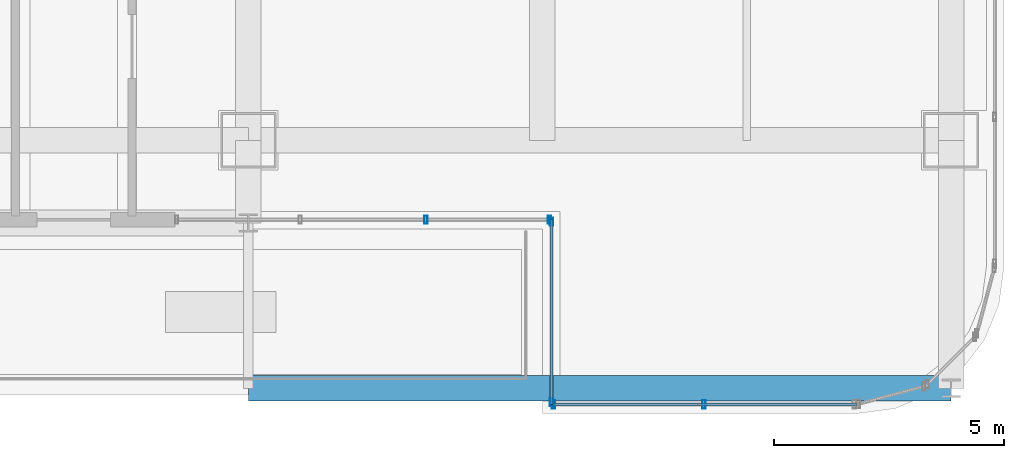
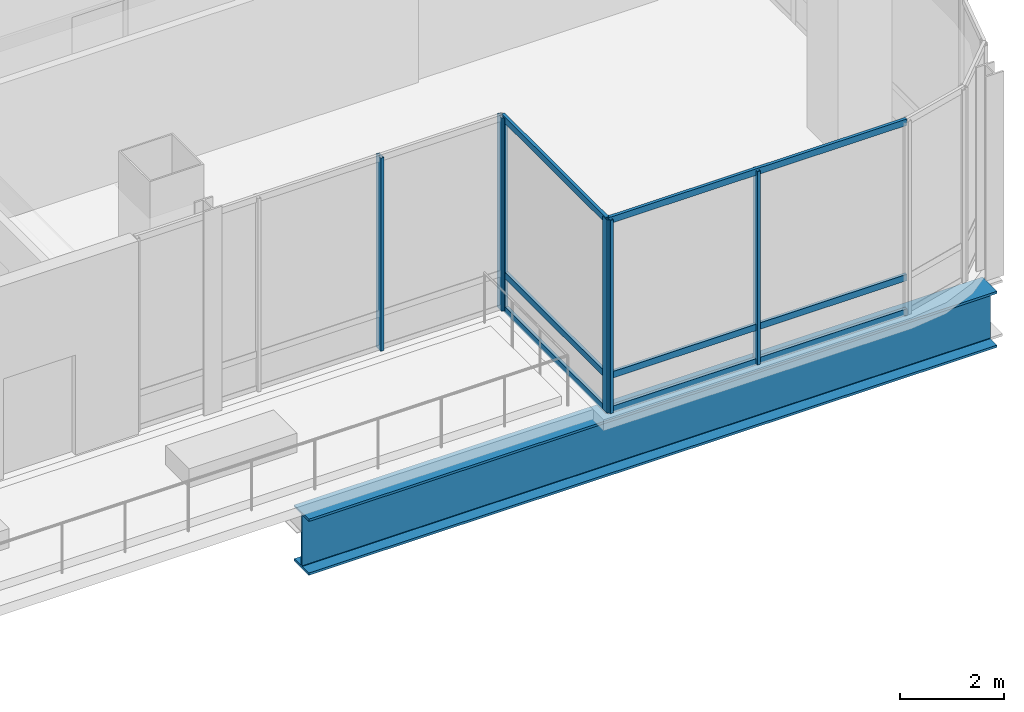
# One storey, part 16 of 44: 12 members, 1 beam, 3 elements without a shape of their own.
"""IFC4 building model written with IfcOpenShell, lengths in metres."""

from ifc_helpers import new_model, si_unit, direction, frame, origin, origin_2d, place, context, subcontext, project, spatial, hollow_rectangle, i_section, extrude, material, material_profile, profile_set, type_object, element, aggregate, save


model = new_model("IFC4")

# Units and contexts
model_context = context("Model", 3, precision=1e-05, world=origin(), true_north=direction((0.0, 1.0)))
body_context = subcontext(model_context, "Body", "Model", "MODEL_VIEW")
ifc_project = project(units=[si_unit("LENGTHUNIT", "METRE"), si_unit("AREAUNIT", "SQUARE_METRE"), si_unit("VOLUMEUNIT", "CUBIC_METRE"), si_unit("PLANEANGLEUNIT", "RADIAN"), si_unit("MASSUNIT", "GRAM", prefix="KILO")], contexts=[model_context])

# Site, building, storey
site_placement = place(None, origin())
site = spatial("IfcSite", under=ifc_project, at=site_placement, CompositionType="ELEMENT")
building_placement = place(site_placement, origin())
building = spatial("IfcBuilding", under=site, at=building_placement, Name="Punatoya Terracotta Tower", CompositionType="ELEMENT")
storey_placement = place(building_placement, frame((0.0, 0.0, 334.199951171875)))
storey = spatial("IfcBuildingStorey", under=building, at=storey_placement, Name="L79", CompositionType="ELEMENT", Elevation=334.199951171875)

# Beam
ifc_material_1 = material(Name="Steel S460", Category="steel")
ifc_material_profile_1 = material_profile(ifc_material_1, i_section(OverallWidth=0.56005859375, OverallDepth=1.320068359375, WebThickness=0.035888671875, FlangeThickness=0.054931640625, FilletRadius=0.01806640625, at=origin_2d()))
ifc_profile_set_1 = profile_set([ifc_material_profile_1], Name="Steel S460")
beam_type = type_object("IfcBeamType", Name="BM-TG-BLK", PredefinedType="BEAM", material=ifc_profile_set_1)
beam_placement = place(storey_placement, frame((3.800048828125, -22.89990234375, -0.919921875), z_axis=(1.0, 0.0, 0.0), x_axis=(0.0, 1.0, 0.0)))
element("IfcBeam", 1, at=beam_placement, inside=storey, type_object=beam_type, Name="BM-L79-PER-S3", PredefinedType="BEAM", context=body_context, shape_type="SweptSolid", body=[
    extrude(i_section(OverallWidth=0.56005859375, OverallDepth=1.320068359375, WebThickness=0.035888671875, FlangeThickness=0.054931640625, FilletRadius=0.01806640625, at=origin_2d()), origin(), (0.0, 0.0, 1.0), 15.300048828125),
])

# Curtain wall, members
ifc_material_2 = material(Name="Aluminium 6063-T6 + Double Low-E Glass", Category="aluminium")
curtain_wall_type = type_object("IfcCurtainWallType", Name="CW-OBS", PredefinedType="NOTDEFINED", material=ifc_material_2)
curtain_wall_1_placement = place(storey_placement, origin())
curtain_wall_1 = element("IfcCurtainWall", 2, at=curtain_wall_1_placement, inside=storey, type_object=curtain_wall_type, Name="L79 Curtain Wall CW-L79-S4B1", PredefinedType="NOTDEFINED")
ifc_material_3 = material(Name="Aluminium 6063-T6", Category="aluminium")
ifc_material_profile_2 = material_profile(ifc_material_3, hollow_rectangle(XDim=0.070068359375, YDim=0.179931640625, WallThickness=0.00390625, at=origin_2d()))
ifc_profile_set_2 = profile_set([ifc_material_profile_2], Name="Aluminium 6063-T6")
member_type_1 = type_object("IfcMemberType", Name="CW-MUL-M3", PredefinedType="MULLION", material=ifc_profile_set_2)
member_1_placement = place(storey_placement, frame((7.666748046875, -19.22998046875, 0.0), z_axis=(0.0, 0.0, 1.0), x_axis=(1.0, 0.0, 0.0)))
member_1 = element("IfcMember", 3, at=member_1_placement, type_object=member_type_1, Name="CW-L79-S4B1 Mullion 02", PredefinedType="MULLION", context=body_context, shape_type="SweptSolid", body=[
    extrude(hollow_rectangle(XDim=0.070068359375, YDim=0.179931640625, WallThickness=0.00390625, at=origin_2d()), origin(), (0.0, 0.0, 1.0), 4.5400390625),
])
member_2_placement = place(storey_placement, frame((10.35498046875, -19.22998046875, 0.0), z_axis=(0.0, 0.0, 1.0), x_axis=(1.0, 0.0, 0.0)))
member_2 = element("IfcMember", 4, at=member_2_placement, type_object=member_type_1, Name="CW-L79-S4B1 Mullion 03", PredefinedType="MULLION", context=body_context, shape_type="SweptSolid", body=[
    extrude(hollow_rectangle(XDim=0.070068359375, YDim=0.179931640625, WallThickness=0.00390625, at=origin_2d()), origin(), (0.0, 0.0, 1.0), 4.5400390625),
])
aggregate(curtain_wall_1, [member_1, member_2])

curtain_wall_2_placement = place(storey_placement, origin())
curtain_wall_2 = element("IfcCurtainWall", 5, at=curtain_wall_2_placement, inside=storey, type_object=curtain_wall_type, Name="L79 Curtain Wall CW-L79-W05-1", PredefinedType="NOTDEFINED")
member_3_placement = place(storey_placement, frame((10.39990234375, -19.27490234375, 0.0), z_axis=(0.0, 0.0, 1.0), x_axis=(1.0, 0.0, 0.0)))
member_3 = element("IfcMember", 6, at=member_3_placement, type_object=member_type_1, Name="CW-L79-W05-1 Mullion 00", PredefinedType="MULLION", context=body_context, shape_type="SweptSolid", body=[
    extrude(hollow_rectangle(XDim=0.070068359375, YDim=0.179931640625, WallThickness=0.00390625, at=origin_2d()), origin(), (0.0, 0.0, 1.0), 4.5400390625),
])
member_4_placement = place(storey_placement, frame((10.39990234375, -23.205078125, 0.0), z_axis=(0.0, 0.0, 1.0), x_axis=(1.0, 0.0, 0.0)))
member_4 = element("IfcMember", 7, at=member_4_placement, type_object=member_type_1, Name="CW-L79-W05-1 Mullion 01", PredefinedType="MULLION", context=body_context, shape_type="SweptSolid", body=[
    extrude(hollow_rectangle(XDim=0.070068359375, YDim=0.179931640625, WallThickness=0.00390625, at=origin_2d()), origin(), (0.0, 0.0, 1.0), 4.5400390625),
])

curtain_wall_3_placement = place(storey_placement, origin())
curtain_wall_3 = element("IfcCurtainWall", 8, at=curtain_wall_3_placement, inside=storey, type_object=curtain_wall_type, Name="L79 Curtain Wall CW-L79-S06-1", PredefinedType="NOTDEFINED")
member_5_placement = place(storey_placement, frame((10.445068359375, -23.25, 0.0), z_axis=(0.0, 0.0, 1.0), x_axis=(1.0, 0.0, 0.0)))
member_5 = element("IfcMember", 9, at=member_5_placement, type_object=member_type_1, Name="CW-L79-S06-1 Mullion 00", PredefinedType="MULLION", context=body_context, shape_type="SweptSolid", body=[
    extrude(hollow_rectangle(XDim=0.070068359375, YDim=0.179931640625, WallThickness=0.00390625, at=origin_2d()), origin(), (0.0, 0.0, 1.0), 4.5400390625),
])
member_6_placement = place(storey_placement, frame((13.718505859375, -23.25, 0.0), z_axis=(0.0, 0.0, 1.0), x_axis=(1.0, 0.0, 0.0)))
member_6 = element("IfcMember", 10, at=member_6_placement, type_object=member_type_1, Name="CW-L79-S06-1 Mullion 01", PredefinedType="MULLION", context=body_context, shape_type="SweptSolid", body=[
    extrude(hollow_rectangle(XDim=0.070068359375, YDim=0.179931640625, WallThickness=0.00390625, at=origin_2d()), origin(), (0.0, 0.0, 1.0), 4.5400390625),
])

# Member
ifc_material_profile_3 = material_profile(ifc_material_3, hollow_rectangle(XDim=0.068115234375, YDim=0.14990234375, WallThickness=0.00390625, at=origin_2d()))
ifc_profile_set_3 = profile_set([ifc_material_profile_3], Name="Aluminium 6063-T6")
member_type_2 = type_object("IfcMemberType", Name="CW-TRN-TYP", PredefinedType="USERDEFINED", material=ifc_profile_set_3)
member_7_placement = place(storey_placement, frame((10.39990234375, -19.22998046875, 0.0400390625), z_axis=(0.0, -1.0, 0.0), x_axis=(1.0, 0.0, 0.0)))
member_7 = element("IfcMember", 11, at=member_7_placement, type_object=member_type_2, Name="CW-L79-W05-1 Transom 1", ObjectType="TRANSOM", PredefinedType="USERDEFINED", context=body_context, shape_type="SweptSolid", body=[
    extrude(hollow_rectangle(XDim=0.068115234375, YDim=0.14990234375, WallThickness=0.00390625, at=origin_2d()), origin(), (0.0, 0.0, 1.0), 4.02001953125),
])

member_8_placement = place(storey_placement, frame((10.39990234375, -19.22998046875, 0.85009765625), z_axis=(0.0, -1.0, 0.0), x_axis=(1.0, 0.0, 0.0)))
member_8 = element("IfcMember", 12, at=member_8_placement, type_object=member_type_2, Name="CW-L79-W05-1 Transom 2", ObjectType="TRANSOM", PredefinedType="USERDEFINED", context=body_context, shape_type="SweptSolid", body=[
    extrude(hollow_rectangle(XDim=0.068115234375, YDim=0.14990234375, WallThickness=0.00390625, at=origin_2d()), origin(), (0.0, 0.0, 1.0), 4.02001953125),
])

member_9_placement = place(storey_placement, frame((10.39990234375, -19.22998046875, 4.5), z_axis=(0.0, -1.0, 0.0), x_axis=(1.0, 0.0, 0.0)))
member_9 = element("IfcMember", 13, at=member_9_placement, type_object=member_type_2, Name="CW-L79-W05-1 Transom 3", ObjectType="TRANSOM", PredefinedType="USERDEFINED", context=body_context, shape_type="SweptSolid", body=[
    extrude(hollow_rectangle(XDim=0.068115234375, YDim=0.14990234375, WallThickness=0.00390625, at=origin_2d()), origin(), (0.0, 0.0, 1.0), 4.02001953125),
])

aggregate(curtain_wall_2, [member_3, member_4, member_7, member_8, member_9])

member_10_placement = place(storey_placement, frame((10.39990234375, -23.25, 0.0400390625), z_axis=(1.0, 0.0, 0.0), x_axis=(0.0, 1.0, 0.0)))
member_10 = element("IfcMember", 14, at=member_10_placement, type_object=member_type_2, Name="CW-L79-S06-1 Transom 1", ObjectType="TRANSOM", PredefinedType="USERDEFINED", context=body_context, shape_type="SweptSolid", body=[
    extrude(hollow_rectangle(XDim=0.068115234375, YDim=0.14990234375, WallThickness=0.00390625, at=origin_2d()), origin(), (0.0, 0.0, 1.0), 6.636962890625),
])

member_11_placement = place(storey_placement, frame((10.39990234375, -23.25, 0.85009765625), z_axis=(1.0, 0.0, 0.0), x_axis=(0.0, 1.0, 0.0)))
member_11 = element("IfcMember", 15, at=member_11_placement, type_object=member_type_2, Name="CW-L79-S06-1 Transom 2", ObjectType="TRANSOM", PredefinedType="USERDEFINED", context=body_context, shape_type="SweptSolid", body=[
    extrude(hollow_rectangle(XDim=0.068115234375, YDim=0.14990234375, WallThickness=0.00390625, at=origin_2d()), origin(), (0.0, 0.0, 1.0), 6.636962890625),
])

member_12_placement = place(storey_placement, frame((10.39990234375, -23.25, 4.5), z_axis=(1.0, 0.0, 0.0), x_axis=(0.0, 1.0, 0.0)))
member_12 = element("IfcMember", 16, at=member_12_placement, type_object=member_type_2, Name="CW-L79-S06-1 Transom 3", ObjectType="TRANSOM", PredefinedType="USERDEFINED", context=body_context, shape_type="SweptSolid", body=[
    extrude(hollow_rectangle(XDim=0.068115234375, YDim=0.14990234375, WallThickness=0.00390625, at=origin_2d()), origin(), (0.0, 0.0, 1.0), 6.636962890625),
])

aggregate(curtain_wall_3, [member_5, member_6, member_10, member_11, member_12])

save(model, "model.ifc")
